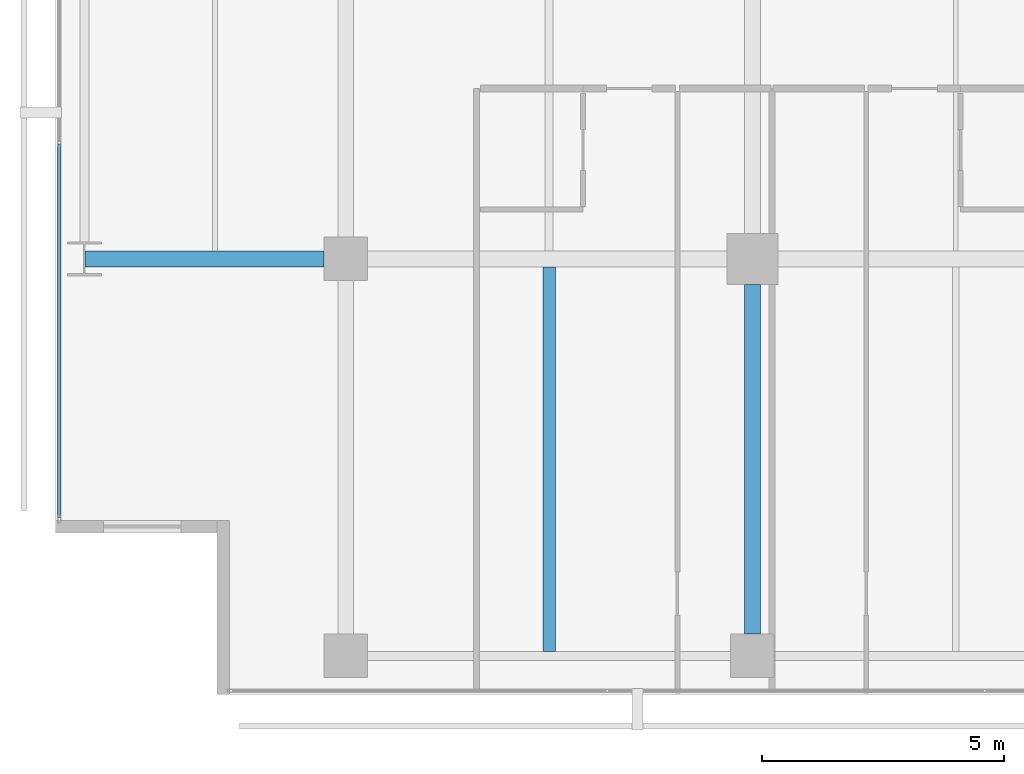
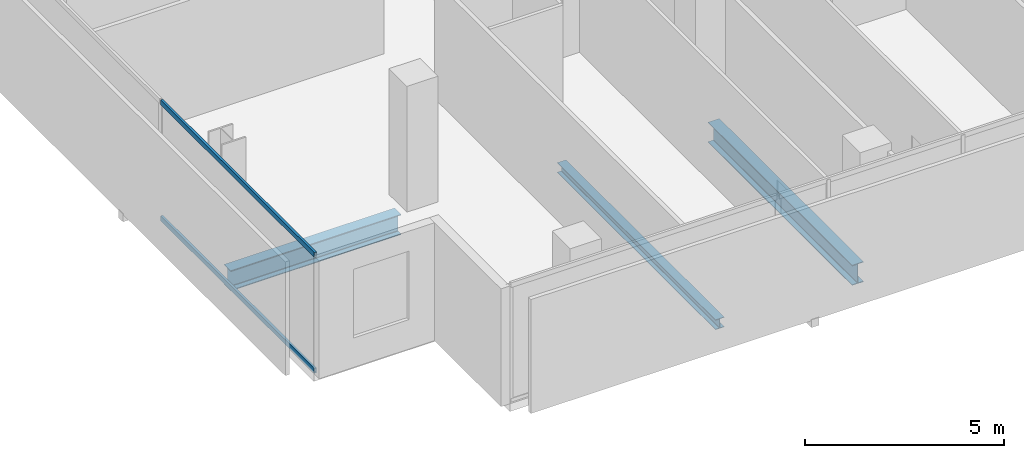
# One storey, part 4 of 40: 3 beams, 2 members, 1 element without a shape of its own.
"""IFC4 building model written with IfcOpenShell, lengths in metres."""

from ifc_helpers import new_model, si_unit, direction, frame, origin, origin_2d, place, context, subcontext, project, spatial, hollow_rectangle, i_section, extrude, material, layer, layer_set, material_profile, profile_set, type_object, element, aggregate, save


model = new_model("IFC4")

# Units and contexts
model_context = context("Model", 3, precision=1e-05, world=origin(), true_north=direction((0.0, 1.0)))
body_context = subcontext(model_context, "Body", "Model", "MODEL_VIEW")
ifc_project = project(units=[si_unit("LENGTHUNIT", "METRE"), si_unit("AREAUNIT", "SQUARE_METRE"), si_unit("VOLUMEUNIT", "CUBIC_METRE"), si_unit("PLANEANGLEUNIT", "RADIAN"), si_unit("MASSUNIT", "GRAM", prefix="KILO")], contexts=[model_context])

# Site, building, storey
site_placement = place(None, origin())
site = spatial("IfcSite", under=ifc_project, at=site_placement, CompositionType="ELEMENT")
building_placement = place(site_placement, origin())
building = spatial("IfcBuilding", under=site, at=building_placement, Name="Maruvema Waterfront Hotel and Observation Tower", CompositionType="ELEMENT")
storey_placement = place(building_placement, frame((0.0, 0.0, 38.5)))
storey = spatial("IfcBuildingStorey", under=building, at=storey_placement, Name="L08", CompositionType="ELEMENT", Elevation=38.5)

# Curtain wall, members
ifc_material_1 = material(Name="Anodised bronze aluminium and solar-control low-E IGU", Category="aluminium")
ifc_layer = layer(ifc_material_1, 0.159912109375, Name="Zone 1 Bronze Inner Thermal Curtain Wall System CW-02")
ifc_layer_set = layer_set([ifc_layer], Name="Anodised bronze aluminium and solar-control low-E IGU")
curtain_wall_type = type_object("IfcCurtainWallType", Name="Zone 1 Bronze Inner Thermal Curtain Wall System CW-02", PredefinedType="USERDEFINED", material=ifc_layer_set)
curtain_wall_placement = place(storey_placement, origin())
curtain_wall = element("IfcCurtainWall", 1, at=curtain_wall_placement, inside=storey, type_object=curtain_wall_type, Name="L08 Curtain Wall CW-L08-W", ObjectType="UNITISED CURTAIN WALL", PredefinedType="USERDEFINED")
ifc_material_2 = material(Name="Anodised architectural bronze aluminium", Category="aluminium")
ifc_material_profile_1 = material_profile(ifc_material_2, hollow_rectangle(XDim=0.070068359375, YDim=0.14990234375, WallThickness=0.00390625, at=origin_2d()), Name="ALU-T70x150")
ifc_profile_set_1 = profile_set([ifc_material_profile_1], Name="Anodised architectural bronze aluminium")
member_type = type_object("IfcMemberType", Name="Curtain Wall Horizontal Transom ALU-T70x150", PredefinedType="USERDEFINED", material=ifc_profile_set_1)
member_1_placement = place(storey_placement, frame((10.8798828125, 11.3701171875, 0.030029296875), z_axis=(0.0, -1.0, 0.0), x_axis=(1.0, 0.0, 0.0)))
member_1 = element("IfcMember", 2, at=member_1_placement, type_object=member_type, Name="CW-02 transom 6.1", ObjectType="TRANSOM", PredefinedType="USERDEFINED", context=body_context, shape_type="SweptSolid", body=[
    extrude(hollow_rectangle(XDim=0.070068359375, YDim=0.14990234375, WallThickness=0.00390625, at=origin_2d()), origin(), (0.0, 0.0, 1.0), 7.710205078125),
])
member_2_placement = place(storey_placement, frame((10.8798828125, 11.3701171875, 3.580078125), z_axis=(0.0, -1.0, 0.0), x_axis=(1.0, 0.0, 0.0)))
member_2 = element("IfcMember", 3, at=member_2_placement, type_object=member_type, Name="CW-02 transom 6.2", ObjectType="TRANSOM", PredefinedType="USERDEFINED", context=body_context, shape_type="SweptSolid", body=[
    extrude(hollow_rectangle(XDim=0.070068359375, YDim=0.14990234375, WallThickness=0.00390625, at=origin_2d()), origin(), (0.0, 0.0, 1.0), 7.710205078125),
])
aggregate(curtain_wall, [member_1, member_2])

# Beams
ifc_material_3 = material(Name="Steel ASTM A572 Grade 50", Category="steel")
ifc_material_profile_2 = material_profile(ifc_material_3, i_section(OverallWidth=0.326904296875, OverallDepth=0.6220703125, WebThickness=0.015380859375, FlangeThickness=0.0244140625, FilletRadius=0.01806640625, at=origin_2d()), Name="W610x195.0")
ifc_profile_set_2 = profile_set([ifc_material_profile_2], Name="Steel ASTM A572 Grade 50")
beam_type_1 = type_object("IfcBeamType", Name="Primary Floor Girder W610x195.0", PredefinedType="BEAM", material=ifc_profile_set_2)
beam_1_placement = place(storey_placement, frame((11.4140625, 9.0, -0.551025390625), z_axis=(1.0, 0.0, 0.0), x_axis=(0.0, 1.0, 0.0)))
element("IfcBeam", 4, at=beam_1_placement, inside=storey, type_object=beam_type_1, Name="L08 Floor Girder EW-06", PredefinedType="BEAM", context=body_context, shape_type="SweptSolid", body=[
    extrude(i_section(OverallWidth=0.326904296875, OverallDepth=0.6220703125, WebThickness=0.015380859375, FlangeThickness=0.0244140625, FilletRadius=0.01806640625, at=origin_2d()), origin(), (0.0, 0.0, 1.0), 4.93603515625),
])
beam_2_placement = place(storey_placement, frame((25.199951171875, 1.25, -0.551025390625), z_axis=(0.0, 1.0, 0.0), x_axis=(-1.0, 0.0, 0.0)))
element("IfcBeam", 5, at=beam_2_placement, inside=storey, type_object=beam_type_1, Name="L08 Floor Girder NS-11", PredefinedType="BEAM", context=body_context, shape_type="SweptSolid", body=[
    extrude(i_section(OverallWidth=0.326904296875, OverallDepth=0.6220703125, WebThickness=0.015380859375, FlangeThickness=0.0244140625, FilletRadius=0.01806640625, at=origin_2d()), origin(), (0.0, 0.0, 1.0), 7.22509765625),
])
ifc_material_4 = material(Name="Steel ASTM A572 Grade 50", Category="steel")
ifc_material_profile_3 = material_profile(ifc_material_4, i_section(OverallWidth=0.25390625, OverallDepth=0.305908203125, WebThickness=0.0087890625, FlangeThickness=0.0146484375, FilletRadius=0.014892578125, at=origin_2d()), Name="W310x79.0")
ifc_profile_set_3 = profile_set([ifc_material_profile_3], Name="Steel ASTM A572 Grade 50")
beam_type_2 = type_object("IfcBeamType", Name="Secondary Floor Joist W310x79.0", PredefinedType="JOIST", material=ifc_profile_set_3)
beam_3_placement = place(storey_placement, frame((21.0, 0.89501953125, -0.39306640625), z_axis=(0.0, 1.0, 0.0), x_axis=(-1.0, 0.0, 0.0)))
element("IfcBeam", 6, at=beam_3_placement, inside=storey, type_object=beam_type_2, Name="L08 Secondary Floor Joist JS-05", PredefinedType="JOIST", context=body_context, shape_type="SweptSolid", body=[
    extrude(i_section(OverallWidth=0.25390625, OverallDepth=0.305908203125, WebThickness=0.0087890625, FlangeThickness=0.0146484375, FilletRadius=0.014892578125, at=origin_2d()), origin(), (0.0, 0.0, 1.0), 7.94140625),
])

save(model, "model.ifc")
